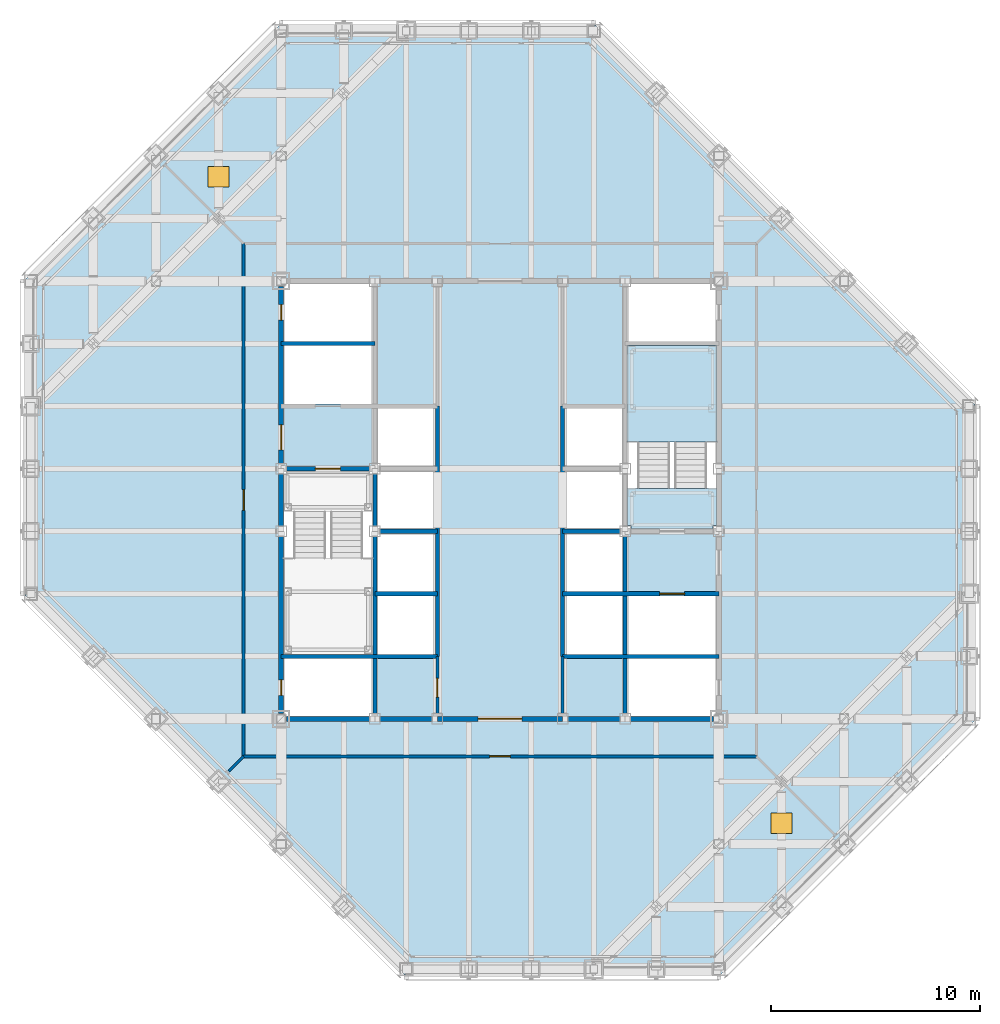
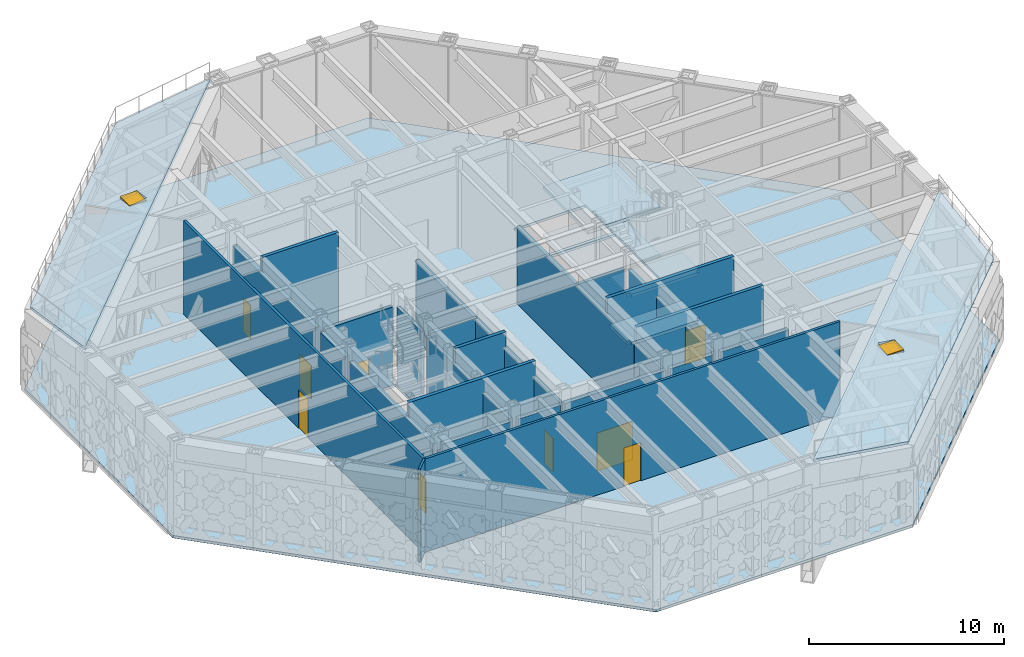
# One storey, part 11 of 29: 26 walls, 11 doors, 7 slabs, 11 openings, 1 element without a shape of its own.
"""IFC4 building model written with IfcOpenShell, lengths in metres."""

import ifcopenshell
import ifcopenshell.guid

model = None  # the IFC model being written
_history = None  # IfcOwnerHistory: only IFC2X3 demands one
_inside = {}  # id of a spatial element -> (the spatial element, [elements in it])
_under = {}  # id of a project, library or spatial element -> (it, [spatial elements below it])
_declared = {}  # id of a project -> (the project, [libraries it declares])
_typed = {}  # id of a type object -> (the type object, [elements of that type])
_made_of = {}  # id of a material, layer set ... -> (it, [elements and type objects made of it])


def new_model(schema):
    """Start an empty IFC model of exactly this schema.

    Asked for "IFC4X3", IfcOpenShell would pick the latest addendum, in which some entities
    have other attributes; the version numbers below select the first issue.
    IFC2X3 requires an IfcOwnerHistory on every rooted entity: one is made here for all.
    """
    global model, _history
    if schema == "IFC4X3":
        model = ifcopenshell.file(schema_version=(4, 3, 0, 0))
    else:
        model = ifcopenshell.file(schema=schema)
    _inside.clear()
    _under.clear()
    _declared.clear()
    _typed.clear()
    _made_of.clear()
    _history = None
    if model.schema == "IFC2X3":
        org = make("IfcOrganization", Name="unknown")
        user = make(
            "IfcPersonAndOrganization",
            ThePerson=make("IfcPerson", FamilyName="unknown"),
            TheOrganization=org,
        )
        app = make(
            "IfcApplication",
            ApplicationDeveloper=org,
            Version="unknown",
            ApplicationFullName="unknown",
            ApplicationIdentifier="unknown",
        )
        _history = make(
            "IfcOwnerHistory",
            OwningUser=user,
            OwningApplication=app,
            ChangeAction="ADDED",
            CreationDate=0,
        )
    return model


def make(cls, **values):
    """One entity of the class cls with the attributes given. An attribute that is None is left unset."""
    return model.create_entity(
        cls, **{name: value for name, value in values.items() if value is not None}
    )


def rooted(cls, **values):
    """An entity with a GlobalId (a new one), such as an element, a storey or a relation."""
    return make(cls, GlobalId=ifcopenshell.guid.new(), OwnerHistory=_history, **values)


def si_unit(unit_type, name, prefix=None):
    """IfcSIUnit, for example si_unit("LENGTHUNIT", "METRE", prefix="MILLI")."""
    return make("IfcSIUnit", UnitType=unit_type, Prefix=prefix, Name=name)


def assignment(units):
    """IfcUnitAssignment: the units of a project."""
    return None if units is None else make("IfcUnitAssignment", Units=units)


def point(xyz):
    """IfcCartesianPoint."""
    return None if xyz is None else make("IfcCartesianPoint", Coordinates=xyz)


def direction(xyz):
    """IfcDirection."""
    return None if xyz is None else make("IfcDirection", DirectionRatios=xyz)


def frame(location, z_axis=None, x_axis=None):
    """IfcAxis2Placement3D, a coordinate frame: its origin and axes. An axis left out is left unset."""
    return make(
        "IfcAxis2Placement3D",
        Location=point(location),
        Axis=direction(z_axis),
        RefDirection=direction(x_axis),
    )


def frame_2d(location, x_axis=None):
    """IfcAxis2Placement2D, a coordinate frame in the plane: its origin and x axis."""
    return make(
        "IfcAxis2Placement2D", Location=point(location), RefDirection=direction(x_axis)
    )


def origin():
    """The frame at (0, 0, 0) with its axes left unset."""
    return frame((0.0, 0.0, 0.0))


def origin_2d():
    """The frame at (0, 0) in the plane with its x axis left unset."""
    return frame_2d((0.0, 0.0))


def place(relative_to, where):
    """IfcLocalPlacement: puts the frame where relative to a parent placement (None: the world)."""
    return make(
        "IfcLocalPlacement", PlacementRelTo=relative_to, RelativePlacement=where
    )


def context(
    kind, dimensions, precision=None, world=None, true_north=None, identifier=None
):
    """IfcGeometricRepresentationContext, for example the 3D "Model" context."""
    return make(
        "IfcGeometricRepresentationContext",
        ContextIdentifier=identifier,
        ContextType=kind,
        CoordinateSpaceDimension=dimensions,
        Precision=precision,
        WorldCoordinateSystem=world,
        TrueNorth=true_north,
    )


def subcontext(parent, identifier, kind, view, scale=None):
    """IfcGeometricRepresentationSubContext, for example "Body" below "Model"."""
    return make(
        "IfcGeometricRepresentationSubContext",
        ContextIdentifier=identifier,
        ContextType=kind,
        ParentContext=parent,
        TargetScale=scale,
        TargetView=view,
    )


def project(units=None, contexts=None):
    """IfcProject with its units and contexts."""
    return rooted(
        "IfcProject",
        Name="project",
        RepresentationContexts=contexts,
        UnitsInContext=assignment(units),
    )


def spatial(cls, under=None, at=None, **own):
    """A site, building, storey or space (cls), placed at a placement, below another one or the project."""
    s = rooted(cls, ObjectPlacement=at, **own)
    if under is not None:
        _under.setdefault(under.id(), (under, []))[1].append(s)
    return s


def polyline(points):
    """IfcPolyline through the points."""
    return make("IfcPolyline", Points=[point(p) for p in points])


def profile(cls, at=None, kind="AREA", **sizes):
    """A parametric profile (cls). Its sizes go by their IFC names, for example OverallWidth=200.0."""
    return make(cls, ProfileType=kind, Position=at, **sizes)


def rectangle(**sizes):
    """IfcRectangleProfileDef."""
    return profile("IfcRectangleProfileDef", **sizes)


def outline(outer, holes=None, kind="AREA"):
    """IfcArbitraryClosedProfileDef: a profile drawn as a closed curve; with holes, ...WithVoids."""
    if holes is None:
        return make("IfcArbitraryClosedProfileDef", ProfileType=kind, OuterCurve=outer)
    return make(
        "IfcArbitraryProfileDefWithVoids",
        ProfileType=kind,
        OuterCurve=outer,
        InnerCurves=holes,
    )


def extrude(swept, where, along, depth):
    """IfcExtrudedAreaSolid: the profile swept, set in the frame where, extruded along a direction by depth."""
    return make(
        "IfcExtrudedAreaSolid",
        SweptArea=swept,
        Position=where,
        ExtrudedDirection=direction(along),
        Depth=depth,
    )


def shape(context_of_items, identifier, shape_type, items):
    """IfcShapeRepresentation: the items that make up one representation, for example the "Body"."""
    return make(
        "IfcShapeRepresentation",
        ContextOfItems=context_of_items,
        RepresentationIdentifier=identifier,
        RepresentationType=shape_type,
        Items=items,
    )


def material(Name=None, Category=None):
    """IfcMaterial."""
    return make("IfcMaterial", Name=Name, Category=Category)


def layer(
    of_material, thickness, ventilated=None, Name=None, Category=None, Priority=None
):
    """IfcMaterialLayer: one layer of a wall or slab, of a material (None: an air gap)."""
    return make(
        "IfcMaterialLayer",
        Material=of_material,
        LayerThickness=thickness,
        IsVentilated=ventilated,
        Name=Name,
        Category=Category,
        Priority=Priority,
    )


def layer_set(layers, Name=None):
    """IfcMaterialLayerSet."""
    return make("IfcMaterialLayerSet", MaterialLayers=layers, LayerSetName=Name)


def made_of(thing, what):
    """Note that an element or type object is made of a material, layer set ...; save() writes the relation."""
    if what is not None:
        _made_of.setdefault(what.id(), (what, []))[1].append(thing)
    return thing


def type_object(cls, material=None, **own):
    """A type object (cls), such as IfcWallType, which elements share."""
    return made_of(rooted(cls, **own), material)


def element(
    cls,
    number,
    at=None,
    inside=None,
    cuts=None,
    type_object=None,
    material=None,
    context=None,
    identifier="Body",
    shape_type=None,
    held_by="IfcProductDefinitionShape",
    body=None,
    shapes=None,
    **own,
):
    """One element of the class cls, such as IfcWall. Its Tag is "e" and its number.

    at: its placement. inside: the storey or other place that contains it. cuts: it is an
    opening in that element (IfcRelVoidsElement). A single representation is given by context,
    identifier, shape_type and body (its items); several are given by shapes. held_by: the class
    of the entity that holds the representations. save() writes the other relations.
    """
    e = rooted(cls, Tag="e%d" % number, ObjectPlacement=at, **own)
    if body is not None:
        shapes = [shape(context, identifier, shape_type, body)]
    if shapes is not None:
        e.Representation = make(held_by, Representations=shapes)
    if inside is not None:
        _inside.setdefault(inside.id(), (inside, []))[1].append(e)
    if cuts is not None:
        rooted(
            "IfcRelVoidsElement", RelatingBuildingElement=cuts, RelatedOpeningElement=e
        )
    if type_object is not None:
        _typed.setdefault(type_object.id(), (type_object, []))[1].append(e)
    return made_of(e, material)


def fill(opening, filler):
    """IfcRelFillsElement: the door or window that sits in an opening."""
    return rooted(
        "IfcRelFillsElement",
        RelatingOpeningElement=opening,
        RelatedBuildingElement=filler,
    )


def aggregate(whole, parts):
    """IfcRelAggregates: a whole, such as a stair, and the parts it consists of."""
    return rooted("IfcRelAggregates", RelatingObject=whole, RelatedObjects=parts)


def save(model, path):
    """Write the relations noted so far, then the file.

    IfcRelAggregates (storeys below a building ...), IfcRelContainedInSpatialStructure (elements
    in a storey), IfcRelDefinesByType, IfcRelAssociatesMaterial and IfcRelDeclares: one each for
    every whole, place, type object, material and project.
    """
    for whole, parts in _under.values():
        aggregate(whole, parts)
    for where, things in _inside.values():
        rooted(
            "IfcRelContainedInSpatialStructure",
            RelatedElements=things,
            RelatingStructure=where,
        )
    for kind, things in _typed.values():
        rooted("IfcRelDefinesByType", RelatedObjects=things, RelatingType=kind)
    for what, things in _made_of.values():
        rooted("IfcRelAssociatesMaterial", RelatedObjects=things, RelatingMaterial=what)
    for by, libraries in _declared.values():
        rooted("IfcRelDeclares", RelatingContext=by, RelatedDefinitions=libraries)
    model.write(path)


model = new_model("IFC4")

# Units and contexts
model_context = context("Model", 3, precision=1e-05, world=origin(), true_north=direction((0.0, 1.0)))
body_context = subcontext(model_context, "Body", "Model", "MODEL_VIEW")
ifc_project = project(units=[si_unit("LENGTHUNIT", "METRE"), si_unit("AREAUNIT", "SQUARE_METRE"), si_unit("VOLUMEUNIT", "CUBIC_METRE"), si_unit("PLANEANGLEUNIT", "RADIAN"), si_unit("MASSUNIT", "GRAM", prefix="KILO")], contexts=[model_context])

# Site, building, storey
site_placement = place(None, origin())
site = spatial("IfcSite", under=ifc_project, at=site_placement, CompositionType="ELEMENT")
building_placement = place(site_placement, origin())
building = spatial("IfcBuilding", under=site, at=building_placement, Name="Chuquiago Exchange Tower", CompositionType="ELEMENT")
storey_placement = place(building_placement, frame((0.0, 0.0, 251.699951171875)))
storey = spatial("IfcBuildingStorey", under=building, at=storey_placement, Name="L56", CompositionType="ELEMENT", Elevation=251.699951171875)

# Slab
ifc_material_1 = material(Name="Concrete C30/37", Category="concrete")
ifc_layer_1 = layer(ifc_material_1, 0.159912109375)
ifc_layer_set_1 = layer_set([ifc_layer_1], Name="FS1 composite floor 160")
slab_type_1 = type_object("IfcSlabType", Name="FS1 composite floor 160", PredefinedType="FLOOR", material=ifc_layer_set_1)
slab_1_placement = place(storey_placement, frame((0.0, 0.0, -0.159912109375)))
element("IfcSlab", 1, at=slab_1_placement, inside=storey, type_object=slab_type_1, Name="L56 floor slab", PredefinedType="FLOOR", context=body_context, shape_type="SweptSolid", body=[
    extrude(outline(polyline([(17.896484375, -0.25), (-0.25, 17.896484375), (-0.25, 33.103515625), (11.896484375, 45.25), (27.103515625, 45.25), (45.25, 27.103515625), (45.25, 11.896484375), (33.103515625, -0.25), (17.896484375, -0.25)]), holes=[polyline([(16.39990234375, 15.10009765625), (12.10009765625, 15.10009765625), (12.10009765625, 23.89990234375), (16.39990234375, 23.89990234375), (16.39990234375, 15.10009765625)]), polyline([(32.89990234375, 21.10009765625), (28.60009765625, 21.10009765625), (28.60009765625, 29.89990234375), (32.89990234375, 29.89990234375), (32.89990234375, 21.10009765625)]), polyline([(16.39990234375, 12.10009765625), (12.10009765625, 12.10009765625), (12.10009765625, 14.89990234375), (16.39990234375, 14.89990234375), (16.39990234375, 12.10009765625)]), polyline([(16.39990234375, 30.10009765625), (12.10009765625, 30.10009765625), (12.10009765625, 32.89990234375), (16.39990234375, 32.89990234375), (16.39990234375, 30.10009765625)]), polyline([(32.89990234375, 12.10009765625), (28.60009765625, 12.10009765625), (28.60009765625, 14.89990234375), (32.89990234375, 14.89990234375), (32.89990234375, 12.10009765625)]), polyline([(32.89990234375, 30.10009765625), (28.60009765625, 30.10009765625), (28.60009765625, 32.89990234375), (32.89990234375, 32.89990234375), (32.89990234375, 30.10009765625)]), polyline([(16.39990234375, 27.10009765625), (12.10009765625, 27.10009765625), (12.10009765625, 29.89990234375), (16.39990234375, 29.89990234375), (16.39990234375, 27.10009765625)]), polyline([(32.89990234375, 15.10009765625), (28.60009765625, 15.10009765625), (28.60009765625, 17.89990234375), (32.89990234375, 17.89990234375), (32.89990234375, 15.10009765625)]), polyline([(19.39990234375, 15.10009765625), (16.60009765625, 15.10009765625), (16.60009765625, 26.89990234375), (19.39990234375, 26.89990234375), (19.39990234375, 15.10009765625)]), polyline([(28.39990234375, 15.10009765625), (25.60009765625, 15.10009765625), (25.60009765625, 26.89990234375), (28.39990234375, 26.89990234375), (28.39990234375, 15.10009765625)])]), origin(), (0.0, 0.0, 1.0), 0.159912109375),
])

# Slab, opening, door
ifc_material_2 = material(Name="Concrete C30/37", Category="concrete")
ifc_layer_2 = layer(ifc_material_2, 0.199951171875)
ifc_layer_set_2 = layer_set([ifc_layer_2], Name="RS2 facet roof 200")
slab_type_2 = type_object("IfcSlabType", Name="RS2 facet roof 200", PredefinedType="ROOF", material=ifc_layer_set_2)
slab_2_placement = place(storey_placement, frame((45.0, 12.0, 5.09814453125), z_axis=(0.147050455994, -0.147050455994, 0.978137171763), x_axis=(-0.707106781187, -0.707106781187, 0.0)))
slab_2 = element("IfcSlab", 2, at=slab_2_placement, inside=storey, type_object=slab_type_2, Name="Facet roof L56 SE, maintenance access only", PredefinedType="ROOF", context=body_context, shape_type="SweptSolid", body=[
    extrude(outline(polyline([(0.0, 0.0), (16.970562748477143, 0.0), (20.963230139903526, -4.081909477206269), (-3.992667391426385, -4.081909477206269), (0.0, 0.0)])), origin(), (0.0, 0.0, -1.0), 0.199951171875),
])
opening_1_placement = place(storey_placement, frame((36.0, 7.0, 5.195068359375)))
opening_1 = element("IfcOpeningElement", 3, at=opening_1_placement, cuts=slab_2, Name="Opening RH2", PredefinedType="OPENING", context=body_context, shape_type="SweptSolid", body=[
    extrude(rectangle(XDim=1.0, YDim=1.0, at=origin_2d()), origin(), (0.0, 0.0, 1.0), 0.804443359375),
])
ifc_material_3 = material(Name="Aluminium hatch, insulated, with upstand", Category="aluminium")
door_type_1 = type_object("IfcDoorType", Name="RH2 roof hatch 1000x1000", OperationType="SINGLE_SWING_LEFT", PredefinedType="TRAPDOOR", material=ifc_material_3)
door_1_placement = place(opening_1_placement, frame((0.0, 0.0, 0.454345703125)))
door_1 = element("IfcDoor", 4, at=door_1_placement, inside=storey, type_object=door_type_1, Name="Facet roof L56 SE access hatch, maintenance only", OperationType="SINGLE_SWING_LEFT", OverallHeight=1.0, OverallWidth=1.0, PredefinedType="TRAPDOOR", context=body_context, shape_type="SweptSolid", body=[
    extrude(rectangle(XDim=1.0, YDim=1.0, at=origin_2d()), origin(), (0.0, 0.0, 1.0), 0.050048828125),
])
fill(opening_1, door_1)

slab_3_placement = place(storey_placement, frame((0.0, 33.0, 5.09814453125), z_axis=(-0.147050455994, 0.147050455994, 0.978137171763), x_axis=(0.707106781187, 0.707106781187, 0.0)))
slab_3 = element("IfcSlab", 5, at=slab_3_placement, inside=storey, type_object=slab_type_2, Name="Facet roof L56 NW, maintenance access only", PredefinedType="ROOF", context=body_context, shape_type="SweptSolid", body=[
    extrude(outline(polyline([(0.0, 0.0), (16.970562748477143, 0.0), (20.963230139903526, -4.081909477206269), (-3.992667391426385, -4.081909477206269), (0.0, 0.0)])), origin(), (0.0, 0.0, -1.0), 0.199951171875),
])
opening_2_placement = place(storey_placement, frame((9.0, 38.0, 5.195068359375)))
opening_2 = element("IfcOpeningElement", 6, at=opening_2_placement, cuts=slab_3, Name="Opening RH2", PredefinedType="OPENING", context=body_context, shape_type="SweptSolid", body=[
    extrude(rectangle(XDim=1.0, YDim=1.0, at=origin_2d()), origin(), (0.0, 0.0, 1.0), 0.804443359375),
])
door_2_placement = place(opening_2_placement, frame((0.0, 0.0, 0.454345703125)))
door_2 = element("IfcDoor", 7, at=door_2_placement, inside=storey, type_object=door_type_1, Name="Facet roof L56 NW access hatch, maintenance only", OperationType="SINGLE_SWING_LEFT", OverallHeight=1.0, OverallWidth=1.0, PredefinedType="TRAPDOOR", context=body_context, shape_type="SweptSolid", body=[
    extrude(rectangle(XDim=1.0, YDim=1.0, at=origin_2d()), origin(), (0.0, 0.0, 1.0), 0.050048828125),
])
fill(opening_2, door_2)

# Stair, slabs
ifc_material_4 = material(Name="Concrete C30/37, precast", Category="concrete")
stair_type = type_object("IfcStairType", Name="ST2 double half-turn stair 6000", PredefinedType="DOUBLE_RETURN_STAIR", material=ifc_material_4)
stair_placement = place(storey_placement, origin())
stair = element("IfcStair", 8, at=stair_placement, inside=storey, type_object=stair_type, Name="Stair ST2 L56", PredefinedType="DOUBLE_RETURN_STAIR")
ifc_material_5 = material(Name="Concrete C30/37, precast", Category="concrete")
ifc_layer_3 = layer(ifc_material_5, 0.199951171875)
ifc_layer_set_3 = layer_set([ifc_layer_3], Name="ST-L landing 200")
slab_type_3 = type_object("IfcSlabType", Name="ST-L landing 200", PredefinedType="LANDING", material=ifc_layer_set_3)
slab_4_placement = place(storey_placement, frame((0.0, 0.0, -0.199951171875)))
slab_4 = element("IfcSlab", 9, at=slab_4_placement, type_object=slab_type_3, Name="ST2 landing 1", PredefinedType="LANDING", context=body_context, shape_type="SweptSolid", body=[
    extrude(outline(polyline([(32.72509765625, 21.27490234375), (32.72509765625, 21.10009765625), (28.77490234375, 21.10009765625), (28.77490234375, 21.27490234375), (28.60009765625, 21.27490234375), (28.60009765625, 23.050048828125), (32.89990234375, 23.050048828125), (32.89990234375, 21.27490234375), (32.72509765625, 21.27490234375)])), origin(), (0.0, 0.0, 1.0), 0.199951171875),
])
slab_5_placement = place(storey_placement, frame((0.0, 0.0, 1.300048828125)))
slab_5 = element("IfcSlab", 10, at=slab_5_placement, type_object=slab_type_3, Name="ST2 landing 2", PredefinedType="LANDING", context=body_context, shape_type="SweptSolid", body=[
    extrude(outline(polyline([(28.60009765625, 29.89990234375), (32.89990234375, 29.89990234375), (32.89990234375, 25.2900390625), (28.60009765625, 25.2900390625), (28.60009765625, 29.89990234375)])), origin(), (0.0, 0.0, 1.0), 0.199951171875),
])
slab_6_placement = place(storey_placement, frame((0.0, 0.0, 2.800048828125)))
slab_6 = element("IfcSlab", 11, at=slab_6_placement, type_object=slab_type_3, Name="ST2 landing 3", PredefinedType="LANDING", context=body_context, shape_type="SweptSolid", body=[
    extrude(outline(polyline([(32.72509765625, 21.27490234375), (32.72509765625, 21.10009765625), (28.77490234375, 21.10009765625), (28.77490234375, 21.27490234375), (28.60009765625, 21.27490234375), (28.60009765625, 23.050048828125), (32.89990234375, 23.050048828125), (32.89990234375, 21.27490234375), (32.72509765625, 21.27490234375)])), origin(), (0.0, 0.0, 1.0), 0.199951171875),
])
slab_7_placement = place(storey_placement, frame((0.0, 0.0, 4.300048828125)))
slab_7 = element("IfcSlab", 12, at=slab_7_placement, type_object=slab_type_3, Name="ST2 landing 4", PredefinedType="LANDING", context=body_context, shape_type="SweptSolid", body=[
    extrude(outline(polyline([(28.60009765625, 29.89990234375), (32.89990234375, 29.89990234375), (32.89990234375, 25.2900390625), (28.60009765625, 25.2900390625), (28.60009765625, 29.89990234375)])), origin(), (0.0, 0.0, 1.0), 0.199951171875),
])
aggregate(stair, [slab_4, slab_5, slab_6, slab_7])

# Wall, opening, door
ifc_material_6 = material(Name="Concrete masonry, fully grouted", Category="masonry")
ifc_layer_4 = layer(ifc_material_6, 0.25)
ifc_layer_set_4 = layer_set([ifc_layer_4], Name="W1 core wall 250")
wall_type_1 = type_object("IfcWallType", Name="W1 core wall 250", PredefinedType="SOLIDWALL", material=ifc_layer_set_4)
wall_1_placement = place(storey_placement, frame((12.0, 12.25, 0.0), z_axis=(0.0, 0.0, 1.0), x_axis=(0.0, 1.0, 0.0)))
wall_1 = element("IfcWall", 13, at=wall_1_placement, inside=storey, type_object=wall_type_1, Name="CW-L56-00-0", PredefinedType="SOLIDWALL", context=body_context, shape_type="SweptSolid", body=[
    extrude(rectangle(XDim=8.5, YDim=0.25, at=frame_2d((4.25, 0.0))), origin(), (0.0, 0.0, 1.0), 4.912841796875),
])
opening_3_placement = place(wall_1_placement, frame((0.875, 0.0, 0.0)))
opening_3 = element("IfcOpeningElement", 14, at=opening_3_placement, cuts=wall_1, Name="Opening L56-009", PredefinedType="OPENING", context=body_context, shape_type="SweptSolid", body=[
    extrude(rectangle(XDim=0.75, YDim=2.10009765625, at=frame_2d((0.375, 1.050048828125))), frame((0.0, 0.135009765625, 0.0), z_axis=(0.0, -1.0, 0.0), x_axis=(1.0, 0.0, 0.0)), (0.0, 0.0, 1.0), 0.27001953125),
])
ifc_material_7 = material(Name="Steel door, painted", Category="steel")
door_type_2 = type_object("IfcDoorType", Name="D6 riser access door 750x2100", OperationType="SINGLE_SWING_LEFT", PredefinedType="DOOR", material=ifc_material_7)
door_3_placement = place(opening_3_placement, frame((0.75, 0.0, 0.0), z_axis=(0.0, 0.0, 1.0), x_axis=(-1.0, 0.0, 0.0)))
door_3 = element("IfcDoor", 15, at=door_3_placement, inside=storey, type_object=door_type_2, Name="Riser RW1 door", OperationType="SINGLE_SWING_RIGHT", OverallHeight=2.10009765625, OverallWidth=0.75, PredefinedType="DOOR", context=body_context, shape_type="SweptSolid", body=[
    extrude(rectangle(XDim=0.75, YDim=2.10009765625, at=frame_2d((0.375, 1.050048828125))), frame((0.0, 0.02490234375, 0.0), z_axis=(0.0, -1.0, 0.0), x_axis=(1.0, 0.0, 0.0)), (0.0, 0.0, 1.0), 0.050048828125),
])
fill(opening_3, door_3)

# Wall
wall_2_placement = place(storey_placement, frame((12.0, 21.25, 0.0), z_axis=(0.0, 0.0, 1.0), x_axis=(0.0, 1.0, 0.0)))
element("IfcWall", 16, at=wall_2_placement, inside=storey, type_object=wall_type_1, Name="CW-L56-00-1", PredefinedType="SOLIDWALL", context=body_context, shape_type="SweptSolid", body=[
    extrude(rectangle(XDim=2.5, YDim=0.25, at=frame_2d((1.25, 0.0))), origin(), (0.0, 0.0, 1.0), 4.912841796875),
])

# Wall, openings, doors
wall_3_placement = place(storey_placement, frame((12.0, 24.25, 0.0), z_axis=(0.0, 0.0, 1.0), x_axis=(0.0, 1.0, 0.0)))
wall_3 = element("IfcWall", 17, at=wall_3_placement, inside=storey, type_object=wall_type_1, Name="CW-L56-00-2", PredefinedType="SOLIDWALL", context=body_context, shape_type="SweptSolid", body=[
    extrude(rectangle(XDim=8.5, YDim=0.25, at=frame_2d((4.25, 0.0))), origin(), (0.0, 0.0, 1.0), 4.912841796875),
])
opening_4_placement = place(wall_3_placement, frame((0.64990234375, 0.0, 0.0)))
opening_4 = element("IfcOpeningElement", 18, at=opening_4_placement, cuts=wall_3, Name="Opening L56-004", PredefinedType="OPENING", context=body_context, shape_type="SweptSolid", body=[
    extrude(rectangle(XDim=1.199951171875, YDim=2.10009765625, at=frame_2d((0.60009765625, 1.050048828125))), frame((0.0, 0.135009765625, 0.0), z_axis=(0.0, -1.0, 0.0), x_axis=(1.0, 0.0, 0.0)), (0.0, 0.0, 1.0), 0.27001953125),
])
opening_5_placement = place(wall_3_placement, frame((6.875, 0.0, 0.0)))
opening_5 = element("IfcOpeningElement", 19, at=opening_5_placement, cuts=wall_3, Name="Opening L56-010", PredefinedType="OPENING", context=body_context, shape_type="SweptSolid", body=[
    extrude(rectangle(XDim=0.75, YDim=2.10009765625, at=frame_2d((0.375, 1.050048828125))), frame((0.0, 0.135009765625, 0.0), z_axis=(0.0, -1.0, 0.0), x_axis=(1.0, 0.0, 0.0)), (0.0, 0.0, 1.0), 0.27001953125),
])
ifc_material_8 = material(Name="Steel door, painted", Category="steel")
door_type_3 = type_object("IfcDoorType", Name="D5 firefighting lobby door 1200x2100", OperationType="SINGLE_SWING_LEFT", PredefinedType="DOOR", material=ifc_material_8)
door_4_placement = place(opening_4_placement, frame((1.199951171875, 0.0, 0.0), z_axis=(0.0, 0.0, 1.0), x_axis=(-1.0, 0.0, 0.0)))
door_4 = element("IfcDoor", 20, at=door_4_placement, inside=storey, type_object=door_type_3, Name="Firefighting lobby 1 door", OperationType="SINGLE_SWING_RIGHT", OverallHeight=2.10009765625, OverallWidth=1.199951171875, PredefinedType="DOOR", context=body_context, shape_type="SweptSolid", body=[
    extrude(rectangle(XDim=1.199951171875, YDim=2.10009765625, at=frame_2d((0.60009765625, 1.050048828125))), frame((0.0, 0.02490234375, 0.0), z_axis=(0.0, -1.0, 0.0), x_axis=(1.0, 0.0, 0.0)), (0.0, 0.0, 1.0), 0.050048828125),
])
fill(opening_4, door_4)
door_5_placement = place(opening_5_placement, frame((0.75, 0.0, 0.0), z_axis=(0.0, 0.0, 1.0), x_axis=(-1.0, 0.0, 0.0)))
door_5 = element("IfcDoor", 21, at=door_5_placement, inside=storey, type_object=door_type_2, Name="Riser RW2 door", OperationType="SINGLE_SWING_LEFT", OverallHeight=2.10009765625, OverallWidth=0.75, PredefinedType="DOOR", context=body_context, shape_type="SweptSolid", body=[
    extrude(rectangle(XDim=0.75, YDim=2.10009765625, at=frame_2d((0.375, 1.050048828125))), frame((0.0, 0.02490234375, 0.0), z_axis=(0.0, -1.0, 0.0), x_axis=(1.0, 0.0, 0.0)), (0.0, 0.0, 1.0), 0.050048828125),
])
fill(opening_5, door_5)

# Walls
wall_4_placement = place(storey_placement, frame((12.25, 12.0, 0.0), z_axis=(0.0, 0.0, 1.0), x_axis=(1.0, 0.0, 0.0)))
element("IfcWall", 22, at=wall_4_placement, inside=storey, type_object=wall_type_1, Name="CW-L56-01-0", PredefinedType="SOLIDWALL", context=body_context, shape_type="SweptSolid", body=[
    extrude(rectangle(XDim=4.0, YDim=0.25, at=frame_2d((2.0, 0.0))), origin(), (0.0, 0.0, 1.0), 4.9814453125),
])
for number, where, z_axis, x_axis, name in (
    (23, (16.75, 12.0, 0.0), (0.0, 0.0, 1.0), (1.0, 0.0, 0.0), "CW-L56-01-1"),
    (24, (25.75, 12.0, 0.0), (0.0, 0.0, 1.0), (1.0, 0.0, 0.0), "CW-L56-02-0"),
):
    element("IfcWall", number, at=place(storey_placement, frame(where, z_axis=z_axis, x_axis=x_axis)), inside=storey, type_object=wall_type_1, Name=name, PredefinedType="SOLIDWALL", context=body_context, shape_type="SweptSolid", body=[
        extrude(rectangle(XDim=2.5, YDim=0.25, at=frame_2d((1.25, 0.0))), origin(), (0.0, 0.0, 1.0), 4.9814453125),
    ])
wall_5_placement = place(storey_placement, frame((28.75, 12.0, 0.0), z_axis=(0.0, 0.0, 1.0), x_axis=(1.0, 0.0, 0.0)))
element("IfcWall", 25, at=wall_5_placement, inside=storey, type_object=wall_type_1, Name="CW-L56-02-1", PredefinedType="SOLIDWALL", context=body_context, shape_type="SweptSolid", body=[
    extrude(rectangle(XDim=4.0, YDim=0.25, at=frame_2d((2.0, 0.0))), origin(), (0.0, 0.0, 1.0), 4.9814453125),
])

# Wall, opening, door
wall_6_placement = place(storey_placement, frame((19.5, 12.0, 0.0), z_axis=(0.0, 0.0, 1.0), x_axis=(1.0, 0.0, 0.0)))
wall_6 = element("IfcWall", 26, at=wall_6_placement, inside=storey, type_object=wall_type_1, Name="CW-L56-LLS", PredefinedType="SOLIDWALL", context=body_context, shape_type="SweptSolid", body=[
    extrude(rectangle(XDim=6.0, YDim=0.25, at=frame_2d((3.0, 0.0))), origin(), (0.0, 0.0, 1.0), 4.9814453125),
])
opening_6_placement = place(wall_6_placement, frame((1.949951171875, 0.0, 0.0)))
opening_6 = element("IfcOpeningElement", 27, at=opening_6_placement, cuts=wall_6, Name="Opening L56-001", PredefinedType="OPENING", context=body_context, shape_type="SweptSolid", body=[
    extrude(rectangle(XDim=2.10009765625, YDim=2.39990234375, at=frame_2d((1.050048828125, 1.199951171875))), frame((0.0, 0.135009765625, 0.0), z_axis=(0.0, -1.0, 0.0), x_axis=(1.0, 0.0, 0.0)), (0.0, 0.0, 1.0), 0.27001953125),
])
ifc_material_9 = material(Name="Steel door, painted", Category="steel")
door_type_4 = type_object("IfcDoorType", Name="D11 plant room double door 2100x2400", OperationType="DOUBLE_DOOR_DOUBLE_SWING", PredefinedType="DOOR", material=ifc_material_9)
door_6_placement = place(opening_6_placement, origin())
door_6 = element("IfcDoor", 28, at=door_6_placement, inside=storey, type_object=door_type_4, Name="Plant room door S", OperationType="DOUBLE_DOOR_DOUBLE_SWING", OverallHeight=2.39990234375, OverallWidth=2.10009765625, PredefinedType="DOOR", context=body_context, shape_type="SweptSolid", body=[
    extrude(rectangle(XDim=2.10009765625, YDim=2.39990234375, at=frame_2d((1.050048828125, 1.199951171875))), frame((0.0, 0.02490234375, 0.0), z_axis=(0.0, -1.0, 0.0), x_axis=(1.0, 0.0, 0.0)), (0.0, 0.0, 1.0), 0.050048828125),
])
fill(opening_6, door_6)

ifc_material_10 = material(Name="Gypsum board on steel studs, acoustic insulation", Category="steel")
ifc_layer_5 = layer(ifc_material_10, 0.14990234375)
ifc_layer_set_5 = layer_set([ifc_layer_5], Name="W11 corridor wall 150")
wall_type_2 = type_object("IfcWallType", Name="W11 corridor wall 150", PredefinedType="PARTITIONING", material=ifc_layer_set_5)
wall_7_placement = place(storey_placement, frame((10.199951171875, 10.199951171875, 0.0), z_axis=(0.0, 0.0, 1.0), x_axis=(1.0, 0.0, 0.0)))
wall_7 = element("IfcWall", 29, at=wall_7_placement, inside=storey, type_object=wall_type_2, Name="PW-L56-PCS", PredefinedType="PARTITIONING", context=body_context, shape_type="SweptSolid", body=[
    extrude(rectangle(XDim=24.60009765625, YDim=0.14990234375, at=frame_2d((12.300048828125, 0.0))), origin(), (0.0, 0.0, 1.0), 5.840087890625),
])
opening_7_placement = place(wall_7_placement, frame((11.800048828125, 0.0, 0.0)))
opening_7 = element("IfcOpeningElement", 30, at=opening_7_placement, cuts=wall_7, Name="Opening L56-014", PredefinedType="OPENING", context=body_context, shape_type="SweptSolid", body=[
    extrude(rectangle(XDim=1.0, YDim=2.39990234375, at=frame_2d((0.5, 1.199951171875))), frame((0.0, 0.0849609375, 0.0), z_axis=(0.0, -1.0, 0.0), x_axis=(1.0, 0.0, 0.0)), (0.0, 0.0, 1.0), 0.169921875),
])
ifc_material_11 = material(Name="Timber door, laminate faced", Category="wood")
door_type_5 = type_object("IfcDoorType", Name="D9 room door 1000x2400", OperationType="SINGLE_SWING_LEFT", PredefinedType="DOOR", material=ifc_material_11)
door_7_placement = place(opening_7_placement, frame((1.0, 0.0, 0.0), z_axis=(0.0, 0.0, 1.0), x_axis=(-1.0, 0.0, 0.0)))
door_7 = element("IfcDoor", 31, at=door_7_placement, inside=storey, type_object=door_type_5, Name="Plant corridor south door", OperationType="SINGLE_SWING_LEFT", OverallHeight=2.39990234375, OverallWidth=1.0, PredefinedType="DOOR", context=body_context, shape_type="SweptSolid", body=[
    extrude(rectangle(XDim=1.0, YDim=2.39990234375, at=frame_2d((0.5, 1.199951171875))), frame((0.0, 0.02490234375, 0.0), z_axis=(0.0, -1.0, 0.0), x_axis=(1.0, 0.0, 0.0)), (0.0, 0.0, 1.0), 0.050048828125),
])
fill(opening_7, door_7)

wall_8_placement = place(storey_placement, frame((10.199951171875, 10.199951171875, 0.0), z_axis=(0.0, 0.0, 1.0), x_axis=(0.0, 1.0, 0.0)))
wall_8 = element("IfcWall", 32, at=wall_8_placement, inside=storey, type_object=wall_type_2, Name="PW-L56-PCW", PredefinedType="PARTITIONING", context=body_context, shape_type="SweptSolid", body=[
    extrude(rectangle(XDim=24.60009765625, YDim=0.14990234375, at=frame_2d((12.300048828125, 0.0))), origin(), (0.0, 0.0, 1.0), 5.840087890625),
])
opening_8_placement = place(wall_8_placement, frame((11.800048828125, 0.0, 0.0)))
opening_8 = element("IfcOpeningElement", 33, at=opening_8_placement, cuts=wall_8, Name="Opening L56-016", PredefinedType="OPENING", context=body_context, shape_type="SweptSolid", body=[
    extrude(rectangle(XDim=1.0, YDim=2.39990234375, at=frame_2d((0.5, 1.199951171875))), frame((0.0, 0.0849609375, 0.0), z_axis=(0.0, -1.0, 0.0), x_axis=(1.0, 0.0, 0.0)), (0.0, 0.0, 1.0), 0.169921875),
])
door_8_placement = place(opening_8_placement, origin())
door_8 = element("IfcDoor", 34, at=door_8_placement, inside=storey, type_object=door_type_5, Name="Plant corridor west door", OperationType="SINGLE_SWING_RIGHT", OverallHeight=2.39990234375, OverallWidth=1.0, PredefinedType="DOOR", context=body_context, shape_type="SweptSolid", body=[
    extrude(rectangle(XDim=1.0, YDim=2.39990234375, at=frame_2d((0.5, 1.199951171875))), frame((0.0, 0.02490234375, 0.0), z_axis=(0.0, -1.0, 0.0), x_axis=(1.0, 0.0, 0.0)), (0.0, 0.0, 1.0), 0.050048828125),
])
fill(opening_8, door_8)

# Walls
ifc_material_12 = material(Name="Concrete masonry, fully grouted", Category="masonry")
ifc_layer_6 = layer(ifc_material_12, 0.199951171875)
ifc_layer_set_6 = layer_set([ifc_layer_6], Name="W2 shaft wall 200")
wall_type_3 = type_object("IfcWallType", Name="W2 shaft wall 200", PredefinedType="SOLIDWALL", material=ifc_layer_set_6)
for number, where, z_axis, x_axis, name in (
    (35, (12.0, 15.0, 0.0), (0.0, 0.0, 1.0), (1.0, 0.0, 0.0), "CW-L56-03-0"),
    (36, (25.5, 15.0, 0.0), (0.0, 0.0, 1.0), (1.0, 0.0, 0.0), "CW-L56-04-0"),
):
    element("IfcWall", number, at=place(storey_placement, frame(where, z_axis=z_axis, x_axis=x_axis)), inside=storey, type_object=wall_type_3, Name=name, PredefinedType="SOLIDWALL", context=body_context, shape_type="SweptSolid", body=[
        extrude(rectangle(XDim=7.5, YDim=0.199951171875, at=frame_2d((3.75, 0.0))), origin(), (0.0, 0.0, 1.0), 5.840087890625),
    ])

# Wall, opening, door
wall_9_placement = place(storey_placement, frame((12.25, 24.0, 0.0), z_axis=(0.0, 0.0, 1.0), x_axis=(1.0, 0.0, 0.0)))
wall_9 = element("IfcWall", 37, at=wall_9_placement, inside=storey, type_object=wall_type_3, Name="CW-L56-05-0", PredefinedType="SOLIDWALL", context=body_context, shape_type="SweptSolid", body=[
    extrude(rectangle(XDim=4.0, YDim=0.199951171875, at=frame_2d((2.0, 0.0))), origin(), (0.0, 0.0, 1.0), 4.89013671875),
])
opening_9_placement = place(wall_9_placement, frame((1.39990234375, 0.0, 0.0)))
opening_9 = element("IfcOpeningElement", 38, at=opening_9_placement, cuts=wall_9, Name="Opening L56-003", PredefinedType="OPENING", context=body_context, shape_type="SweptSolid", body=[
    extrude(rectangle(XDim=1.199951171875, YDim=2.10009765625, at=frame_2d((0.60009765625, 1.050048828125))), frame((0.0, 0.10986328125, 0.0), z_axis=(0.0, -1.0, 0.0), x_axis=(1.0, 0.0, 0.0)), (0.0, 0.0, 1.0), 0.219970703125),
])
ifc_material_13 = material(Name="Steel door, painted", Category="steel")
door_type_6 = type_object("IfcDoorType", Name="D4 stair door 1200x2100", OperationType="SINGLE_SWING_LEFT", PredefinedType="DOOR", material=ifc_material_13)
door_9_placement = place(opening_9_placement, frame((1.199951171875, 0.0, 0.0), z_axis=(0.0, 0.0, 1.0), x_axis=(-1.0, 0.0, 0.0)))
door_9 = element("IfcDoor", 39, at=door_9_placement, inside=storey, type_object=door_type_6, Name="Stair ST1 door", OperationType="SINGLE_SWING_RIGHT", OverallHeight=2.10009765625, OverallWidth=1.199951171875, PredefinedType="DOOR", context=body_context, shape_type="SweptSolid", body=[
    extrude(rectangle(XDim=1.199951171875, YDim=2.10009765625, at=frame_2d((0.60009765625, 1.050048828125))), frame((0.0, 0.02490234375, 0.0), z_axis=(0.0, -1.0, 0.0), x_axis=(1.0, 0.0, 0.0)), (0.0, 0.0, 1.0), 0.050048828125),
])
fill(opening_9, door_9)

# Walls
wall_10_placement = place(storey_placement, frame((12.0, 30.0, 0.0), z_axis=(0.0, 0.0, 1.0), x_axis=(1.0, 0.0, 0.0)))
element("IfcWall", 40, at=wall_10_placement, inside=storey, type_object=wall_type_3, Name="CW-L56-09-0", PredefinedType="SOLIDWALL", context=body_context, shape_type="SweptSolid", body=[
    extrude(rectangle(XDim=4.5, YDim=0.199951171875, at=frame_2d((2.25, 0.0))), origin(), (0.0, 0.0, 1.0), 5.840087890625),
])
wall_11_placement = place(storey_placement, frame((16.5, 12.25, 0.0), z_axis=(0.0, 0.0, 1.0), x_axis=(0.0, 1.0, 0.0)))
element("IfcWall", 41, at=wall_11_placement, inside=storey, type_object=wall_type_3, Name="CW-L56-13-0", PredefinedType="SOLIDWALL", context=body_context, shape_type="SweptSolid", body=[
    extrude(rectangle(XDim=8.5, YDim=0.199951171875, at=frame_2d((4.25, 0.0))), origin(), (0.0, 0.0, 1.0), 4.912841796875),
])
wall_12_placement = place(storey_placement, frame((16.5, 21.25, 0.0), z_axis=(0.0, 0.0, 1.0), x_axis=(0.0, 1.0, 0.0)))
element("IfcWall", 42, at=wall_12_placement, inside=storey, type_object=wall_type_3, Name="CW-L56-13-1", PredefinedType="SOLIDWALL", context=body_context, shape_type="SweptSolid", body=[
    extrude(rectangle(XDim=2.5, YDim=0.199951171875, at=frame_2d((1.25, 0.0))), origin(), (0.0, 0.0, 1.0), 4.912841796875),
])
wall_13_placement = place(storey_placement, frame((16.5, 18.0, 0.0), z_axis=(0.0, 0.0, 1.0), x_axis=(1.0, 0.0, 0.0)))
element("IfcWall", 43, at=wall_13_placement, inside=storey, type_object=wall_type_3, Name="CW-L56-14-0", PredefinedType="SOLIDWALL", context=body_context, shape_type="SweptSolid", body=[
    extrude(rectangle(XDim=3.0, YDim=0.199951171875, at=frame_2d((1.5, 0.0))), origin(), (0.0, 0.0, 1.0), 5.840087890625),
])

# Wall, opening, door
wall_14_placement = place(storey_placement, frame((25.5, 18.0, 0.0), z_axis=(0.0, 0.0, 1.0), x_axis=(1.0, 0.0, 0.0)))
wall_14 = element("IfcWall", 44, at=wall_14_placement, inside=storey, type_object=wall_type_3, Name="CW-L56-15-0", PredefinedType="SOLIDWALL", context=body_context, shape_type="SweptSolid", body=[
    extrude(rectangle(XDim=7.5, YDim=0.199951171875, at=frame_2d((3.75, 0.0))), origin(), (0.0, 0.0, 1.0), 5.840087890625),
])
opening_10_placement = place(wall_14_placement, frame((4.64990234375, 0.0, 0.0)))
opening_10 = element("IfcOpeningElement", 45, at=opening_10_placement, cuts=wall_14, Name="Opening L56-008", PredefinedType="OPENING", context=body_context, shape_type="SweptSolid", body=[
    extrude(rectangle(XDim=1.199951171875, YDim=2.10009765625, at=frame_2d((0.60009765625, 1.050048828125))), frame((0.0, 0.10986328125, 0.0), z_axis=(0.0, -1.0, 0.0), x_axis=(1.0, 0.0, 0.0)), (0.0, 0.0, 1.0), 0.219970703125),
])
ifc_material_14 = material(Name="Stainless steel lift landing door", Category="steel")
door_type_7 = type_object("IfcDoorType", Name="LD2 firefighting lift landing door 1200x2100", OperationType="DOUBLE_DOOR_SLIDING", PredefinedType="DOOR", material=ifc_material_14)
door_10_placement = place(opening_10_placement, origin())
door_10 = element("IfcDoor", 46, at=door_10_placement, inside=storey, type_object=door_type_7, Name="Firefighting lift FL2 landing door", OperationType="DOUBLE_DOOR_SLIDING", OverallHeight=2.10009765625, OverallWidth=1.199951171875, PredefinedType="DOOR", context=body_context, shape_type="SweptSolid", body=[
    extrude(rectangle(XDim=1.199951171875, YDim=2.10009765625, at=frame_2d((0.60009765625, 1.050048828125))), frame((0.0, 0.02490234375, 0.0), z_axis=(0.0, -1.0, 0.0), x_axis=(1.0, 0.0, 0.0)), (0.0, 0.0, 1.0), 0.050048828125),
])
fill(opening_10, door_10)

# Walls
for number, where, z_axis, x_axis, name in (
    (47, (16.75, 21.0, 0.0), (0.0, 0.0, 1.0), (1.0, 0.0, 0.0), "CW-L56-16-0"),
    (48, (25.5, 21.0, 0.0), (0.0, 0.0, 1.0), (1.0, 0.0, 0.0), "CW-L56-17-0"),
):
    element("IfcWall", number, at=place(storey_placement, frame(where, z_axis=z_axis, x_axis=x_axis)), inside=storey, type_object=wall_type_3, Name=name, PredefinedType="SOLIDWALL", context=body_context, shape_type="SweptSolid", body=[
        extrude(rectangle(XDim=2.75, YDim=0.199951171875, at=frame_2d((1.375, 0.0))), origin(), (0.0, 0.0, 1.0), 4.89013671875),
    ])
for number, where, z_axis, x_axis, name in (
    (49, (19.5, 15.0, 0.0), (0.0, 0.0, 1.0), (0.0, 1.0, 0.0), "CW-L56-19-0"),
    (50, (25.5, 15.0, 0.0), (0.0, 0.0, 1.0), (0.0, 1.0, 0.0), "CW-L56-22-0"),
):
    element("IfcWall", number, at=place(storey_placement, frame(where, z_axis=z_axis, x_axis=x_axis)), inside=storey, type_object=wall_type_3, Name=name, PredefinedType="SOLIDWALL", context=body_context, shape_type="SweptSolid", body=[
        extrude(rectangle(XDim=12.0, YDim=0.199951171875, at=frame_2d((6.0, 0.0))), origin(), (0.0, 0.0, 1.0), 4.86474609375),
    ])
wall_15_placement = place(storey_placement, frame((28.5, 12.25, 0.0), z_axis=(0.0, 0.0, 1.0), x_axis=(0.0, 1.0, 0.0)))
element("IfcWall", 51, at=wall_15_placement, inside=storey, type_object=wall_type_3, Name="CW-L56-24-0", PredefinedType="SOLIDWALL", context=body_context, shape_type="SweptSolid", body=[
    extrude(rectangle(XDim=8.5, YDim=0.199951171875, at=frame_2d((4.25, 0.0))), origin(), (0.0, 0.0, 1.0), 4.912841796875),
])

# Wall, opening, door
ifc_material_15 = material(Name="Gypsum board on steel studs", Category="steel")
ifc_layer_7 = layer(ifc_material_15, 0.14990234375)
ifc_layer_set_7 = layer_set([ifc_layer_7], Name="W3 core partition 150")
wall_type_4 = type_object("IfcWallType", Name="W3 core partition 150", PredefinedType="PARTITIONING", material=ifc_layer_set_7)
wall_16_placement = place(storey_placement, frame((19.5, 12.25, 0.0), z_axis=(0.0, 0.0, 1.0), x_axis=(0.0, 1.0, 0.0)))
wall_16 = element("IfcWall", 52, at=wall_16_placement, inside=storey, type_object=wall_type_4, Name="CW-L56-18-0", PredefinedType="PARTITIONING", context=body_context, shape_type="SweptSolid", body=[
    extrude(rectangle(XDim=2.75, YDim=0.14990234375, at=frame_2d((1.375, 0.0))), origin(), (0.0, 0.0, 1.0), 4.86474609375),
])
opening_11_placement = place(wall_16_placement, frame((0.800048828125, 0.0, 0.0)))
opening_11 = element("IfcOpeningElement", 53, at=opening_11_placement, cuts=wall_16, Name="Opening L56-013", PredefinedType="OPENING", context=body_context, shape_type="SweptSolid", body=[
    extrude(rectangle(XDim=0.89990234375, YDim=2.10009765625, at=frame_2d((0.449951171875, 1.050048828125))), frame((0.0, 0.0849609375, 0.0), z_axis=(0.0, -1.0, 0.0), x_axis=(1.0, 0.0, 0.0)), (0.0, 0.0, 1.0), 0.169921875),
])
ifc_material_16 = material(Name="Timber door, laminate faced", Category="wood")
door_type_8 = type_object("IfcDoorType", Name="D7 toilet door 900x2100", OperationType="SINGLE_SWING_LEFT", PredefinedType="DOOR", material=ifc_material_16)
door_11_placement = place(opening_11_placement, frame((0.89990234375, 0.0, 0.0), z_axis=(0.0, 0.0, 1.0), x_axis=(-1.0, 0.0, 0.0)))
door_11 = element("IfcDoor", 54, at=door_11_placement, inside=storey, type_object=door_type_8, Name="Cleaner door", OperationType="SINGLE_SWING_RIGHT", OverallHeight=2.10009765625, OverallWidth=0.89990234375, PredefinedType="DOOR", context=body_context, shape_type="SweptSolid", body=[
    extrude(rectangle(XDim=0.89990234375, YDim=2.10009765625, at=frame_2d((0.449951171875, 1.050048828125))), frame((0.0, 0.02490234375, 0.0), z_axis=(0.0, -1.0, 0.0), x_axis=(1.0, 0.0, 0.0)), (0.0, 0.0, 1.0), 0.050048828125),
])
fill(opening_11, door_11)

# Walls
wall_17_placement = place(storey_placement, frame((25.5, 12.25, 0.0), z_axis=(0.0, 0.0, 1.0), x_axis=(0.0, 1.0, 0.0)))
element("IfcWall", 55, at=wall_17_placement, inside=storey, type_object=wall_type_4, Name="CW-L56-21-0", PredefinedType="PARTITIONING", context=body_context, shape_type="SweptSolid", body=[
    extrude(rectangle(XDim=2.75, YDim=0.14990234375, at=frame_2d((1.375, 0.0))), origin(), (0.0, 0.0, 1.0), 4.86474609375),
])
ifc_material_17 = material(Name="Gypsum board on steel studs", Category="steel")
ifc_layer_8 = layer(ifc_material_17, 0.1201171875)
ifc_layer_set_8 = layer_set([ifc_layer_8], Name="W4 partition 120")
wall_type_5 = type_object("IfcWallType", Name="W4 partition 120", PredefinedType="PARTITIONING", material=ifc_layer_set_8)
wall_18_placement = place(storey_placement, frame((10.199951171875, 10.199951171875, 0.0), z_axis=(0.0, 0.0, 1.0), x_axis=(-0.707106781187, -0.707106781187, 0.0)))
element("IfcWall", 56, at=wall_18_placement, inside=storey, type_object=wall_type_5, Name="PW-L56-PDSW0", PredefinedType="PARTITIONING", context=body_context, shape_type="SweptSolid", body=[
    extrude(rectangle(XDim=0.996826171875, YDim=0.1201171875, at=frame_2d((0.49853515625, 0.0))), origin(), (0.0, 0.0, 1.0), 5.840087890625),
])

save(model, "model.ifc")
